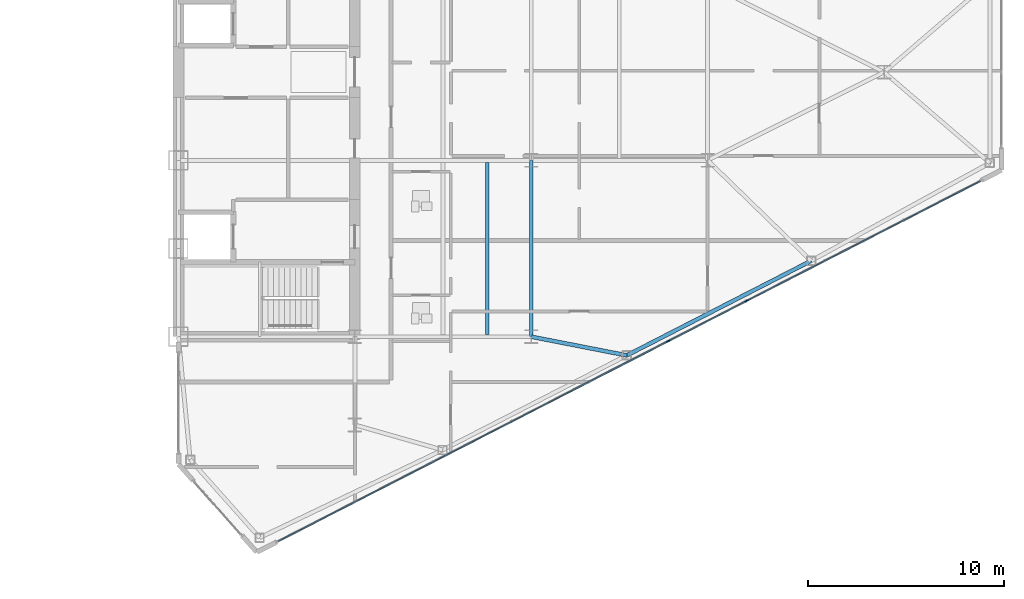
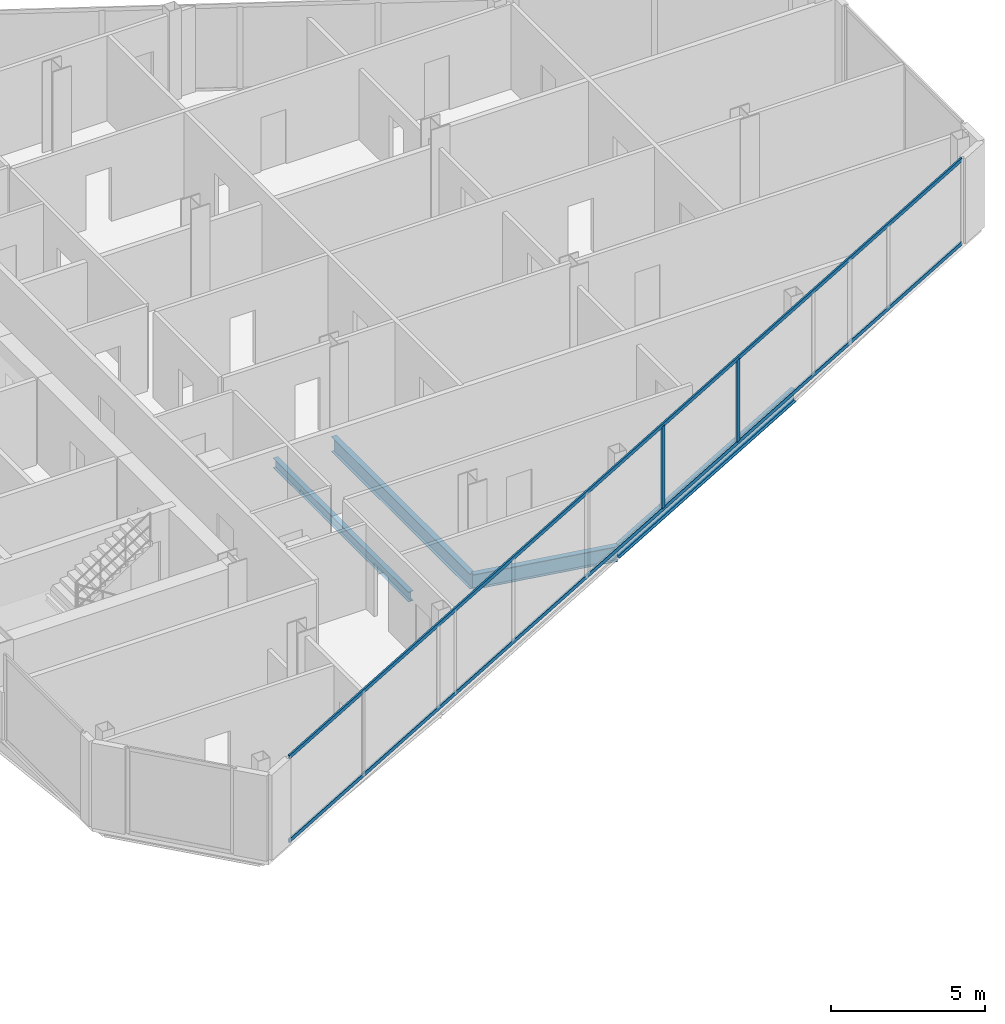
# One storey, part 9 of 23: 4 beams, 4 members, 1 element without a shape of its own.
"""IFC4 building model written with IfcOpenShell, lengths in metres."""

from ifc_helpers import new_model, si_unit, direction, frame, origin, origin_2d, place, context, subcontext, project, spatial, rectangle, i_section, extrude, source, transform, mapped, material, layer, layer_set, material_profile, profile_set, type_object, type_shapes, element, aggregate, save


model = new_model("IFC4")

# Units and contexts
model_context = context("Model", 3, precision=1e-05, world=origin(), true_north=direction((0.0, 1.0)))
body_context = subcontext(model_context, "Body", "Model", "MODEL_VIEW")
ifc_project = project(units=[si_unit("LENGTHUNIT", "METRE"), si_unit("AREAUNIT", "SQUARE_METRE"), si_unit("VOLUMEUNIT", "CUBIC_METRE"), si_unit("PLANEANGLEUNIT", "RADIAN"), si_unit("MASSUNIT", "GRAM", prefix="KILO")], contexts=[model_context])

# Site, building, storey
site_placement = place(None, origin())
site = spatial("IfcSite", under=ifc_project, at=site_placement, CompositionType="ELEMENT")
building_placement = place(site_placement, origin())
building = spatial("IfcBuilding", under=site, at=building_placement, Name="Seokmaru Belvedere", CompositionType="ELEMENT")
storey_placement = place(building_placement, frame((0.0, 0.0, 154.800048828125)))
storey = spatial("IfcBuildingStorey", under=building, at=storey_placement, Name="L41", CompositionType="ELEMENT", Elevation=154.800048828125)

# Beams
ifc_material_1 = material(Name="Steel SM355 (355 MPa)", Category="steel")
ifc_material_profile_1 = material_profile(ifc_material_1, i_section(OverallWidth=0.199951171875, OverallDepth=0.60009765625, WebThickness=0.010986328125, FlangeThickness=0.01708984375, at=origin_2d()), Name="H-600x200x11x17")
ifc_profile_set_1 = profile_set([ifc_material_profile_1], Name="Steel SM355 (355 MPa)")
beam_type_1 = type_object("IfcBeamType", Name="Primary Floor Girder H-600", PredefinedType="BEAM", material=ifc_profile_set_1)
shared_shape_1 = source(origin(), body_context, "Body", "SweptSolid", [
    extrude(i_section(OverallWidth=0.199951171875, OverallDepth=0.60009765625, WebThickness=0.010986328125, FlangeThickness=0.01708984375, at=origin_2d()), origin(), (0.0, 0.0, 1.0), 9.0),
])
beam_1_placement = place(storey_placement, frame((45.5, -13.5, -0.52001953125), z_axis=(0.0, 1.0, 0.0), x_axis=(-1.0, 0.0, 0.0)))
element("IfcBeam", 1, at=beam_1_placement, inside=storey, type_object=beam_type_1, Name="L41 E Interior Grid Girder 1", PredefinedType="BEAM", context=body_context, shape_type="MappedRepresentation", body=[
    mapped(shared_shape_1, transform((0.0, 0.0, 0.0), scale=1.0)),
])
ifc_material_profile_2 = material_profile(ifc_material_1, i_section(OverallWidth=0.18505859375, OverallDepth=0.389892578125, WebThickness=0.008056640625, FlangeThickness=0.011962890625, at=origin_2d()), Name="H-390x185x8x12")
ifc_profile_set_2 = profile_set([ifc_material_profile_2], Name="Steel SM355 (355 MPa)")
beam_type_2 = type_object("IfcBeamType", Name="Secondary Floor Joist H-350", PredefinedType="JOIST", material=ifc_profile_set_2)
shared_shape_2 = source(origin(), body_context, "Body", "SweptSolid", [
    extrude(i_section(OverallWidth=0.18505859375, OverallDepth=0.389892578125, WebThickness=0.008056640625, FlangeThickness=0.011962890625, at=origin_2d()), origin(), (0.0, 0.0, 1.0), 8.7900390625),
])
type_shapes(beam_type_2, [shared_shape_2])
beam_2_placement = place(storey_placement, frame((43.25, -13.39501953125, -0.4150390625), z_axis=(0.0, 1.0, 0.0), x_axis=(-1.0, 0.0, 0.0)))
element("IfcBeam", 2, at=beam_2_placement, inside=storey, type_object=beam_type_2, Name="L41 E Wing Inner Secondary Joist 1", PredefinedType="JOIST", context=body_context, shape_type="MappedRepresentation", body=[
    mapped(shared_shape_2, transform((0.0, 0.0, 0.0), scale=1.0)),
])
ifc_material_profile_3 = material_profile(ifc_material_1, i_section(OverallWidth=0.199951171875, OverallDepth=0.5, WebThickness=0.010009765625, FlangeThickness=0.01611328125, at=origin_2d()), Name="H-500x200x10x16")
ifc_profile_set_3 = profile_set([ifc_material_profile_3], Name="Steel SM355 (355 MPa)")
beam_type_3 = type_object("IfcBeamType", Name="Perimeter Spandrel Beam H-500", PredefinedType="SPANDREL", material=ifc_profile_set_3)
shared_shape_3 = source(origin(), body_context, "Body", "SweptSolid", [
    extrude(i_section(OverallWidth=0.199951171875, OverallDepth=0.5, WebThickness=0.010009765625, FlangeThickness=0.01611328125, at=origin_2d()), origin(), (0.0, 0.0, 1.0), 10.56689453125),
])
type_shapes(beam_type_3, [shared_shape_3])
beam_3_placement = place(storey_placement, frame((50.377197265625, -14.453369140625, -0.469970703125), z_axis=(0.889692588006, 0.456560071455, 0.0), x_axis=(-0.456560071455, 0.889692588006, 0.0)))
element("IfcBeam", 3, at=beam_3_placement, inside=storey, type_object=beam_type_3, Name="L41 E Faceted Flank Spandrel S-3", PredefinedType="SPANDREL", context=body_context, shape_type="MappedRepresentation", body=[
    mapped(shared_shape_3, transform((0.0, 0.0, 0.0), scale=1.0)),
])
shared_shape_4 = source(origin(), body_context, "Body", "SweptSolid", [
    extrude(i_section(OverallWidth=0.199951171875, OverallDepth=0.60009765625, WebThickness=0.010986328125, FlangeThickness=0.01708984375, at=origin_2d()), origin(), (0.0, 0.0, 1.0), 4.969482421875),
])
type_shapes(beam_type_1, [shared_shape_1, shared_shape_4])
beam_4_placement = place(storey_placement, frame((50.377197265625, -14.453369140625, -0.52001953125), z_axis=(-0.98142544456, 0.19184393858, 0.0), x_axis=(-0.19184393858, -0.98142544456, 0.0)))
element("IfcBeam", 4, at=beam_4_placement, inside=storey, type_object=beam_type_1, Name="L41 E Flank Radial Floor Girder S-2", PredefinedType="BEAM", context=body_context, shape_type="MappedRepresentation", body=[
    mapped(shared_shape_4, transform((0.0, 0.0, 0.0), scale=1.0)),
])

# Curtain wall, members
ifc_material_2 = material(Name="Bronze Triple Insulating Glass", Category="glass")
ifc_layer = layer(ifc_material_2, 0.195068359375)
ifc_layer_set = layer_set([ifc_layer], Name="Bronze Triple Insulating Glass")
curtain_wall_type = type_object("IfcCurtainWallType", Name="Sky-Lobby and Mid-Rise Curtain Wall System CW-4", PredefinedType="NOTDEFINED", material=ifc_layer_set)
curtain_wall_placement = place(storey_placement, origin())
curtain_wall = element("IfcCurtainWall", 5, at=curtain_wall_placement, inside=storey, type_object=curtain_wall_type, Name="L41 Curtain Wall EF1", PredefinedType="NOTDEFINED")
ifc_material_3 = material(Name="Anodised Bronze Aluminium", Category="aluminium")
ifc_material_profile_4 = material_profile(ifc_material_3, rectangle(XDim=0.070068359375, YDim=0.195068359375, at=origin_2d()), Name="CW-M-70x195")
ifc_profile_set_4 = profile_set([ifc_material_profile_4], Name="Anodised Bronze Aluminium")
member_type_1 = type_object("IfcMemberType", Name="Bronze Unitised Mullion 70x195", PredefinedType="MULLION", material=ifc_profile_set_4)
shared_shape_5 = source(origin(), body_context, "Body", "SweptSolid", [
    extrude(rectangle(XDim=0.070068359375, YDim=0.195068359375, at=origin_2d()), origin(), (0.0, 0.0, 1.0), 3.25),
])
type_shapes(member_type_1, [shared_shape_5])
member_1_placement = place(storey_placement, frame((52.497314453125, -13.72509765625, 0.06494140625), z_axis=(0.0, 0.0, 1.0), x_axis=(-0.456554528263, 0.889695432562, 0.0)))
member_1 = element("IfcMember", 6, at=member_1_placement, type_object=member_type_1, Name="CW:L41:EF1 Mullion 6", PredefinedType="MULLION", context=body_context, shape_type="MappedRepresentation", body=[
    mapped(shared_shape_5, transform((0.0, 0.0, 0.0), scale=1.0)),
])
member_2_placement = place(storey_placement, frame((56.4921875, -11.675048828125, 0.06494140625), z_axis=(0.0, 0.0, 1.0), x_axis=(-0.456554528263, 0.889695432562, 0.0)))
member_2 = element("IfcMember", 7, at=member_2_placement, type_object=member_type_1, Name="CW:L41:EF1 Mullion 7", PredefinedType="MULLION", context=body_context, shape_type="MappedRepresentation", body=[
    mapped(shared_shape_5, transform((0.0, 0.0, 0.0), scale=1.0)),
])
ifc_material_profile_5 = material_profile(ifc_material_3, rectangle(XDim=0.06494140625, YDim=0.14990234375, at=origin_2d()), Name="CW-T-65x150")
ifc_profile_set_5 = profile_set([ifc_material_profile_5], Name="Anodised Bronze Aluminium")
member_type_2 = type_object("IfcMemberType", Name="Bronze Unitised Transom 65x150", PredefinedType="USERDEFINED", material=ifc_profile_set_5)
shared_shape_6 = source(origin(), body_context, "Body", "SweptSolid", [
    extrude(rectangle(XDim=0.06494140625, YDim=0.14990234375, at=origin_2d()), origin(), (0.0, 0.0, 1.0), 40.271240234375),
])
type_shapes(member_type_2, [shared_shape_6])
member_3_placement = place(storey_placement, frame((32.58544921875, -23.943115234375, 0.032470703125), z_axis=(0.889693089107, 0.456559094965, 0.0), x_axis=(-0.456559094965, 0.889693089107, 0.0)))
member_3 = element("IfcMember", 8, at=member_3_placement, type_object=member_type_2, Name="CW:L41:EF1 Continuous Transom 1", ObjectType="TRANSOM", PredefinedType="USERDEFINED", context=body_context, shape_type="MappedRepresentation", body=[
    mapped(shared_shape_6, transform((0.0, 0.0, 0.0), scale=1.0)),
])
member_4_placement = place(storey_placement, frame((32.58544921875, -23.943115234375, 3.347412109375), z_axis=(0.889693089107, 0.456559094965, 0.0), x_axis=(-0.456559094965, 0.889693089107, 0.0)))
member_4 = element("IfcMember", 9, at=member_4_placement, type_object=member_type_2, Name="CW:L41:EF1 Continuous Transom 2", ObjectType="TRANSOM", PredefinedType="USERDEFINED", context=body_context, shape_type="MappedRepresentation", body=[
    mapped(shared_shape_6, transform((0.0, 0.0, 0.0), scale=1.0)),
])
aggregate(curtain_wall, [member_1, member_2, member_3, member_4])

save(model, "model.ifc")
